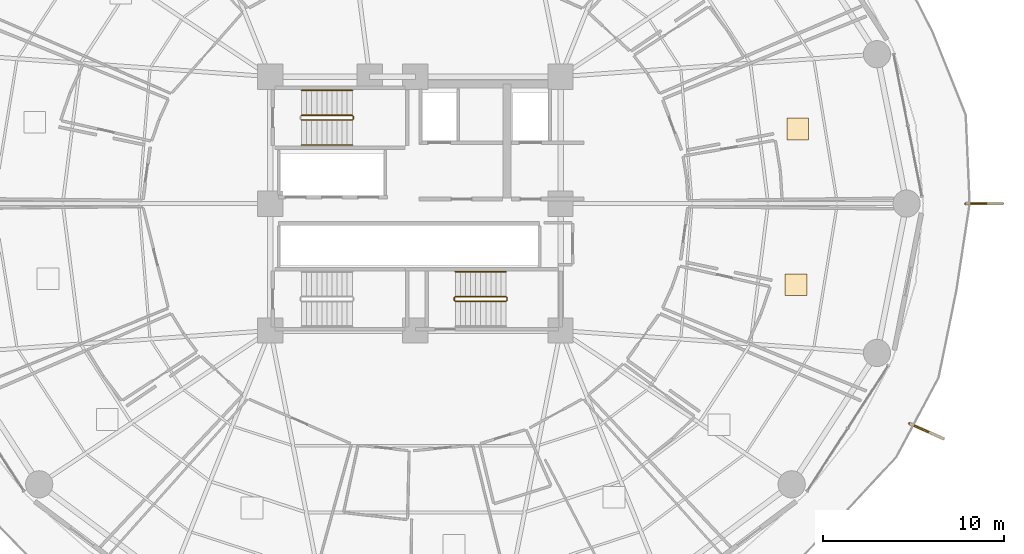
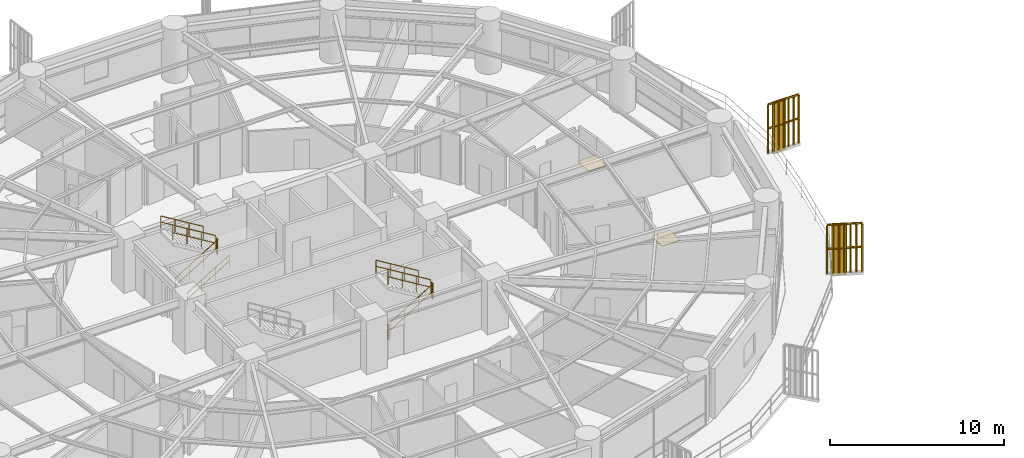
# One storey, part 34 of 35: 12 railings, 2 coverings, 2 shading devices.
"""IFC4 building model written with IfcOpenShell, lengths in metres."""

from ifc_helpers import new_model, si_unit, direction, frame, origin, origin_2d, place, context, subcontext, project, spatial, polyline, rectangle, outline, extrude, source, transform, mapped, material, layer, layer_set, type_object, element, save


model = new_model("IFC4")

# Units and contexts
model_context = context("Model", 3, precision=1e-05, world=origin(), true_north=direction((0.0, 1.0)))
body_context = subcontext(model_context, "Body", "Model", "MODEL_VIEW")
ifc_project = project(units=[si_unit("LENGTHUNIT", "METRE"), si_unit("AREAUNIT", "SQUARE_METRE"), si_unit("VOLUMEUNIT", "CUBIC_METRE"), si_unit("PLANEANGLEUNIT", "RADIAN"), si_unit("MASSUNIT", "GRAM", prefix="KILO")], contexts=[model_context])

# Site, building, storey
site_placement = place(None, origin())
site = spatial("IfcSite", under=ifc_project, at=site_placement, CompositionType="ELEMENT")
building_placement = place(site_placement, origin())
building = spatial("IfcBuilding", under=site, at=building_placement, Name="Kelanora Arch Commons", CompositionType="ELEMENT")
storey_placement = place(building_placement, frame((0.0, 0.0, 22.5)))
storey = spatial("IfcBuildingStorey", under=building, at=storey_placement, Name="L05", CompositionType="ELEMENT", Elevation=22.5)

# Railings
ifc_material_1 = material(Name="Anodised bronze vertical shading fin rib assembly")
railing_type_1 = type_object("IfcRailingType", Name="RAIL-FIN-BRZ", PredefinedType="BALUSTRADE", material=ifc_material_1)
railing_1_placement = place(storey_placement, frame((104.340087890625, 58.0, -0.02001953125)))
element("IfcRailing", 1, at=railing_1_placement, inside=storey, type_object=railing_type_1, Name="Sweeping Bronze Vertical Fin Blade L05-00", PredefinedType="BALUSTRADE", context=body_context, shape_type="SweptSolid", body=[
    extrude(outline(polyline([(0.06982421875, 0.0), (0.034912109375, 0.060546875), (-0.034912109375, 0.060546875), (-0.06982421875, 0.0), (-0.034912109375, -0.060546875), (0.034912109375, -0.060546875), (0.06982421875, 0.0)])), frame((0.0, 0.0, 3.419921875), z_axis=(1.0, 0.0, 0.0), x_axis=(0.0, 1.0, 0.0)), (0.0, 0.0, 1.0), 2.030029296875),
    extrude(outline(polyline([(0.06982421875, 0.0), (0.034912109375, 0.060546875), (-0.034912109375, 0.060546875), (-0.06982421875, 0.0), (-0.034912109375, -0.060546875), (0.034912109375, -0.060546875), (0.06982421875, 0.0)])), frame((0.0, 0.0, 1.7451171875), z_axis=(1.0, 0.0, 0.0), x_axis=(0.0, 1.0, 0.0)), (0.0, 0.0, 1.0), 2.030029296875),
    extrude(outline(polyline([(0.080078125, 0.0), (0.0400390625, 0.0693359375), (-0.0400390625, 0.0693359375), (-0.080078125, 0.0), (-0.0400390625, -0.0693359375), (0.0400390625, -0.0693359375), (0.080078125, 0.0)])), origin(), (0.0, 0.0, 1.0), 3.35009765625),
    extrude(outline(polyline([(0.080078125, 0.0), (0.0400390625, 0.0693359375), (-0.0400390625, 0.0693359375), (-0.080078125, 0.0), (-0.0400390625, -0.0693359375), (0.0400390625, -0.0693359375), (0.080078125, 0.0)])), frame((0.33837890625, 0.0, 0.0)), (0.0, 0.0, 1.0), 3.35009765625),
    extrude(outline(polyline([(0.080078125, 0.0), (0.0400390625, 0.0693359375), (-0.0400390625, 0.0693359375), (-0.080078125, 0.0), (-0.0400390625, -0.0693359375), (0.0400390625, -0.0693359375), (0.080078125, 0.0)])), frame((0.6767578125, 0.0, 0.0)), (0.0, 0.0, 1.0), 3.35009765625),
    extrude(outline(polyline([(0.080078125, 0.0), (0.0400390625, 0.0693359375), (-0.0400390625, 0.0693359375), (-0.080078125, 0.0), (-0.0400390625, -0.0693359375), (0.0400390625, -0.0693359375), (0.080078125, 0.0)])), frame((1.01513671875, 0.0, 0.0)), (0.0, 0.0, 1.0), 3.35009765625),
    extrude(outline(polyline([(0.080078125, 0.0), (0.0400390625, 0.0693359375), (-0.0400390625, 0.0693359375), (-0.080078125, 0.0), (-0.0400390625, -0.0693359375), (0.0400390625, -0.0693359375), (0.080078125, 0.0)])), frame((1.353271484375, 0.0, 0.0)), (0.0, 0.0, 1.0), 3.35009765625),
    extrude(outline(polyline([(0.080078125, 0.0), (0.0400390625, 0.0693359375), (-0.0400390625, 0.0693359375), (-0.080078125, 0.0), (-0.0400390625, -0.0693359375), (0.0400390625, -0.0693359375), (0.080078125, 0.0)])), frame((1.691650390625, 0.0, 0.0)), (0.0, 0.0, 1.0), 3.35009765625),
    extrude(outline(polyline([(0.080078125, 0.0), (0.0400390625, 0.0693359375), (-0.0400390625, 0.0693359375), (-0.080078125, 0.0), (-0.0400390625, -0.0693359375), (0.0400390625, -0.0693359375), (0.080078125, 0.0)])), frame((2.030029296875, 0.0, 0.0)), (0.0, 0.0, 1.0), 3.35009765625),
])
railing_2_placement = place(storey_placement, frame((101.244873046875, 45.869873046875, -0.02001953125)))
element("IfcRailing", 2, at=railing_2_placement, inside=storey, type_object=railing_type_1, Name="Sweeping Bronze Vertical Fin Blade L05-14", PredefinedType="BALUSTRADE", context=body_context, shape_type="SweptSolid", body=[
    extrude(outline(polyline([(0.06982421875, 0.0), (0.034912109375, 0.060546875), (-0.034912109375, 0.060546875), (-0.06982421875, 0.0), (-0.034912109375, -0.060546875), (0.034912109375, -0.060546875), (0.06982421875, 0.0)])), frame((0.0, 0.0, 3.419921875), z_axis=(0.913543540245, -0.406740949593, 0.0), x_axis=(0.406740949593, 0.913543540245, 0.0)), (0.0, 0.0, 1.0), 2.030029296875),
    extrude(outline(polyline([(0.06982421875, 0.0), (0.034912109375, 0.060546875), (-0.034912109375, 0.060546875), (-0.06982421875, 0.0), (-0.034912109375, -0.060546875), (0.034912109375, -0.060546875), (0.06982421875, 0.0)])), frame((0.0, 0.0, 1.7451171875), z_axis=(0.913543540245, -0.406740949593, 0.0), x_axis=(0.406740949593, 0.913543540245, 0.0)), (0.0, 0.0, 1.0), 2.030029296875),
    extrude(outline(polyline([(0.080078125, 0.0), (0.0400390625, 0.0693359375), (-0.0400390625, 0.0693359375), (-0.080078125, 0.0), (-0.0400390625, -0.0693359375), (0.0400390625, -0.0693359375), (0.080078125, 0.0)])), origin(), (0.0, 0.0, 1.0), 3.35009765625),
    extrude(outline(polyline([(0.080078125, 0.0), (0.0400390625, 0.0693359375), (-0.0400390625, 0.0693359375), (-0.080078125, 0.0), (-0.0400390625, -0.0693359375), (0.0400390625, -0.0693359375), (0.080078125, 0.0)])), frame((0.30908203125, -0.1376953125, 0.0)), (0.0, 0.0, 1.0), 3.35009765625),
    extrude(outline(polyline([(0.080078125, 0.0), (0.0400390625, 0.0693359375), (-0.0400390625, 0.0693359375), (-0.080078125, 0.0), (-0.0400390625, -0.0693359375), (0.0400390625, -0.0693359375), (0.080078125, 0.0)])), frame((0.6181640625, -0.275146484375, 0.0)), (0.0, 0.0, 1.0), 3.35009765625),
    extrude(outline(polyline([(0.080078125, 0.0), (0.0400390625, 0.0693359375), (-0.0400390625, 0.0693359375), (-0.080078125, 0.0), (-0.0400390625, -0.0693359375), (0.0400390625, -0.0693359375), (0.080078125, 0.0)])), frame((0.92724609375, -0.412841796875, 0.0)), (0.0, 0.0, 1.0), 3.35009765625),
    extrude(outline(polyline([(0.080078125, 0.0), (0.0400390625, 0.0693359375), (-0.0400390625, 0.0693359375), (-0.080078125, 0.0), (-0.0400390625, -0.0693359375), (0.0400390625, -0.0693359375), (0.080078125, 0.0)])), frame((1.236328125, -0.550537109375, 0.0)), (0.0, 0.0, 1.0), 3.35009765625),
    extrude(outline(polyline([(0.080078125, 0.0), (0.0400390625, 0.0693359375), (-0.0400390625, 0.0693359375), (-0.080078125, 0.0), (-0.0400390625, -0.0693359375), (0.0400390625, -0.0693359375), (0.080078125, 0.0)])), frame((1.54541015625, -0.68798828125, 0.0)), (0.0, 0.0, 1.0), 3.35009765625),
    extrude(outline(polyline([(0.080078125, 0.0), (0.0400390625, 0.0693359375), (-0.0400390625, 0.0693359375), (-0.080078125, 0.0), (-0.0400390625, -0.0693359375), (0.0400390625, -0.0693359375), (0.080078125, 0.0)])), frame((1.8544921875, -0.82568359375, 0.0)), (0.0, 0.0, 1.0), 3.35009765625),
])
ifc_material_2 = material(Name="Painted steel stair well guard", Category="steel")
railing_type_2 = type_object("IfcRailingType", Name="RAIL-STAIR-GRD", PredefinedType="GUARDRAIL", material=ifc_material_2)
railing_3_placement = place(storey_placement, frame((67.719970703125, 62.610107421875, 0.17041015625)))
element("IfcRailing", 3, at=railing_3_placement, inside=storey, type_object=railing_type_2, Name="L05 ST-T1 stair guard 1", PredefinedType="GUARDRAIL", context=body_context, shape_type="SweptSolid", body=[
    extrude(outline(polyline([(0.02392578125, 0.0), (0.011962890625, 0.020751953125), (-0.011962890625, 0.020751953125), (-0.02392578125, 0.0), (-0.011962890625, -0.020751953125), (0.011962890625, -0.020751953125), (0.02392578125, 0.0)])), frame((0.0, 0.0, 1.076171875), z_axis=(0.854169791009, 0.0, 0.51999420009), x_axis=(0.0, 1.0, 0.0)), (0.0, 0.0, 1.0), 3.278076171875),
    extrude(outline(polyline([(0.02392578125, 0.0), (0.011962890625, 0.020751953125), (-0.011962890625, 0.020751953125), (-0.02392578125, 0.0), (-0.011962890625, -0.020751953125), (0.011962890625, -0.020751953125), (0.02392578125, 0.0)])), frame((0.0, 0.0, 0.550048828125), z_axis=(0.854169791009, 0.0, 0.51999420009), x_axis=(0.0, 1.0, 0.0)), (0.0, 0.0, 1.0), 3.278076171875),
    extrude(outline(polyline([(0.02099609375, 0.0), (0.010498046875, 0.01806640625), (-0.010498046875, 0.01806640625), (-0.02099609375, 0.0), (-0.010498046875, -0.01806640625), (0.010498046875, -0.01806640625), (0.02099609375, 0.0)])), origin(), (0.0, 0.0, 1.0), 1.052001953125),
    extrude(outline(polyline([(0.02099609375, 0.0), (0.010498046875, 0.01806640625), (-0.010498046875, 0.01806640625), (-0.02099609375, 0.0), (-0.010498046875, -0.01806640625), (0.010498046875, -0.01806640625), (0.02099609375, 0.0)])), frame((0.933349609375, 0.0, 0.568115234375)), (0.0, 0.0, 1.0), 1.052001953125),
    extrude(outline(polyline([(0.02099609375, 0.0), (0.010498046875, 0.01806640625), (-0.010498046875, 0.01806640625), (-0.02099609375, 0.0), (-0.010498046875, -0.01806640625), (0.010498046875, -0.01806640625), (0.02099609375, 0.0)])), frame((1.86669921875, 0.0, 1.136474609375)), (0.0, 0.0, 1.0), 1.052001953125),
    extrude(outline(polyline([(0.02099609375, 0.0), (0.010498046875, 0.01806640625), (-0.010498046875, 0.01806640625), (-0.02099609375, 0.0), (-0.010498046875, -0.01806640625), (0.010498046875, -0.01806640625), (0.02099609375, 0.0)])), frame((2.800048828125, 0.0, 1.70458984375)), (0.0, 0.0, 1.0), 1.052001953125),
])
railing_4_placement = place(storey_placement, frame((70.570068359375, 62.659912109375, 1.875)))
element("IfcRailing", 4, at=railing_4_placement, inside=storey, type_object=railing_type_2, Name="L05 ST-T1 stair guard 2", PredefinedType="GUARDRAIL", context=body_context, shape_type="SweptSolid", body=[
    extrude(outline(polyline([(0.02392578125, 0.0), (0.011962890625, 0.020751953125), (-0.011962890625, 0.020751953125), (-0.02392578125, 0.0), (-0.011962890625, -0.020751953125), (0.011962890625, -0.020751953125), (0.02392578125, 0.0)])), frame((0.0, 0.0, 1.076171875), z_axis=(0.0, 1.0, 0.0), x_axis=(-1.0, 0.0, 0.0)), (0.0, 0.0, 1.0), 0.150146484375),
    extrude(outline(polyline([(0.02392578125, 0.0), (0.011962890625, 0.020751953125), (-0.011962890625, 0.020751953125), (-0.02392578125, 0.0), (-0.011962890625, -0.020751953125), (0.011962890625, -0.020751953125), (0.02392578125, 0.0)])), frame((0.0, 0.0, 0.550048828125), z_axis=(0.0, 1.0, 0.0), x_axis=(-1.0, 0.0, 0.0)), (0.0, 0.0, 1.0), 0.150146484375),
    extrude(outline(polyline([(0.02099609375, 0.0), (0.010498046875, 0.01806640625), (-0.010498046875, 0.01806640625), (-0.02099609375, 0.0), (-0.010498046875, -0.01806640625), (0.010498046875, -0.01806640625), (0.02099609375, 0.0)])), origin(), (0.0, 0.0, 1.0), 1.052001953125),
    extrude(outline(polyline([(0.02099609375, 0.0), (0.010498046875, 0.01806640625), (-0.010498046875, 0.01806640625), (-0.02099609375, 0.0), (-0.010498046875, -0.01806640625), (0.010498046875, -0.01806640625), (0.02099609375, 0.0)])), frame((0.0, 0.150146484375, 0.0)), (0.0, 0.0, 1.0), 1.052001953125),
])
railing_5_placement = place(storey_placement, frame((70.52001953125, 62.860107421875, 2.04541015625)))
element("IfcRailing", 5, at=railing_5_placement, inside=storey, type_object=railing_type_2, Name="L05 ST-T1 stair guard 3", PredefinedType="GUARDRAIL", context=body_context, shape_type="SweptSolid", body=[
    extrude(outline(polyline([(0.02392578125, 0.0), (0.011962890625, 0.020751953125), (-0.011962890625, 0.020751953125), (-0.02392578125, 0.0), (-0.011962890625, -0.020751953125), (0.011962890625, -0.020751953125), (0.02392578125, 0.0)])), frame((0.0, 0.0, 1.076171875), z_axis=(-0.854169791009, 0.0, 0.51999420009), x_axis=(0.0, -1.0, 0.0)), (0.0, 0.0, 1.0), 3.278076171875),
    extrude(outline(polyline([(0.02392578125, 0.0), (0.011962890625, 0.020751953125), (-0.011962890625, 0.020751953125), (-0.02392578125, 0.0), (-0.011962890625, -0.020751953125), (0.011962890625, -0.020751953125), (0.02392578125, 0.0)])), frame((0.0, 0.0, 0.550048828125), z_axis=(-0.854169791009, 0.0, 0.51999420009), x_axis=(0.0, -1.0, 0.0)), (0.0, 0.0, 1.0), 3.278076171875),
    extrude(outline(polyline([(0.02099609375, 0.0), (0.010498046875, 0.01806640625), (-0.010498046875, 0.01806640625), (-0.02099609375, 0.0), (-0.010498046875, -0.01806640625), (0.010498046875, -0.01806640625), (0.02099609375, 0.0)])), origin(), (0.0, 0.0, 1.0), 1.052001953125),
    extrude(outline(polyline([(0.02099609375, 0.0), (0.010498046875, 0.01806640625), (-0.010498046875, 0.01806640625), (-0.02099609375, 0.0), (-0.010498046875, -0.01806640625), (0.010498046875, -0.01806640625), (0.02099609375, 0.0)])), frame((-0.933349609375, 0.0, 0.568115234375)), (0.0, 0.0, 1.0), 1.052001953125),
    extrude(outline(polyline([(0.02099609375, 0.0), (0.010498046875, 0.01806640625), (-0.010498046875, 0.01806640625), (-0.02099609375, 0.0), (-0.010498046875, -0.01806640625), (0.010498046875, -0.01806640625), (0.02099609375, 0.0)])), frame((-1.86669921875, 0.0, 1.136474609375)), (0.0, 0.0, 1.0), 1.052001953125),
    extrude(outline(polyline([(0.02099609375, 0.0), (0.010498046875, 0.01806640625), (-0.010498046875, 0.01806640625), (-0.02099609375, 0.0), (-0.010498046875, -0.01806640625), (0.010498046875, -0.01806640625), (0.02099609375, 0.0)])), frame((-2.800048828125, 0.0, 1.70458984375)), (0.0, 0.0, 1.0), 1.052001953125),
])
railing_6_placement = place(storey_placement, frame((76.199951171875, 52.610107421875, 0.17041015625)))
element("IfcRailing", 6, at=railing_6_placement, inside=storey, type_object=railing_type_2, Name="L05 ST-T2 stair guard 1", PredefinedType="GUARDRAIL", context=body_context, shape_type="SweptSolid", body=[
    extrude(outline(polyline([(0.02392578125, 0.0), (0.011962890625, 0.020751953125), (-0.011962890625, 0.020751953125), (-0.02392578125, 0.0), (-0.011962890625, -0.020751953125), (0.011962890625, -0.020751953125), (0.02392578125, 0.0)])), frame((0.0, 0.0, 1.076171875), z_axis=(0.854169791009, 0.0, 0.51999420009), x_axis=(0.0, 1.0, 0.0)), (0.0, 0.0, 1.0), 3.278076171875),
    extrude(outline(polyline([(0.02392578125, 0.0), (0.011962890625, 0.020751953125), (-0.011962890625, 0.020751953125), (-0.02392578125, 0.0), (-0.011962890625, -0.020751953125), (0.011962890625, -0.020751953125), (0.02392578125, 0.0)])), frame((0.0, 0.0, 0.550048828125), z_axis=(0.854169791009, 0.0, 0.51999420009), x_axis=(0.0, 1.0, 0.0)), (0.0, 0.0, 1.0), 3.278076171875),
    extrude(outline(polyline([(0.02099609375, 0.0), (0.010498046875, 0.01806640625), (-0.010498046875, 0.01806640625), (-0.02099609375, 0.0), (-0.010498046875, -0.01806640625), (0.010498046875, -0.01806640625), (0.02099609375, 0.0)])), origin(), (0.0, 0.0, 1.0), 1.052001953125),
    extrude(outline(polyline([(0.02099609375, 0.0), (0.010498046875, 0.01806640625), (-0.010498046875, 0.01806640625), (-0.02099609375, 0.0), (-0.010498046875, -0.01806640625), (0.010498046875, -0.01806640625), (0.02099609375, 0.0)])), frame((0.933349609375, 0.0, 0.568115234375)), (0.0, 0.0, 1.0), 1.052001953125),
    extrude(outline(polyline([(0.02099609375, 0.0), (0.010498046875, 0.01806640625), (-0.010498046875, 0.01806640625), (-0.02099609375, 0.0), (-0.010498046875, -0.01806640625), (0.010498046875, -0.01806640625), (0.02099609375, 0.0)])), frame((1.86669921875, 0.0, 1.136474609375)), (0.0, 0.0, 1.0), 1.052001953125),
    extrude(outline(polyline([(0.02099609375, 0.0), (0.010498046875, 0.01806640625), (-0.010498046875, 0.01806640625), (-0.02099609375, 0.0), (-0.010498046875, -0.01806640625), (0.010498046875, -0.01806640625), (0.02099609375, 0.0)])), frame((2.800048828125, 0.0, 1.70458984375)), (0.0, 0.0, 1.0), 1.052001953125),
])
railing_7_placement = place(storey_placement, frame((79.050048828125, 52.659912109375, 1.875)))
element("IfcRailing", 7, at=railing_7_placement, inside=storey, type_object=railing_type_2, Name="L05 ST-T2 stair guard 2", PredefinedType="GUARDRAIL", context=body_context, shape_type="SweptSolid", body=[
    extrude(outline(polyline([(0.02392578125, 0.0), (0.011962890625, 0.020751953125), (-0.011962890625, 0.020751953125), (-0.02392578125, 0.0), (-0.011962890625, -0.020751953125), (0.011962890625, -0.020751953125), (0.02392578125, 0.0)])), frame((0.0, 0.0, 1.076171875), z_axis=(0.0, 1.0, 0.0), x_axis=(-1.0, 0.0, 0.0)), (0.0, 0.0, 1.0), 0.150146484375),
    extrude(outline(polyline([(0.02392578125, 0.0), (0.011962890625, 0.020751953125), (-0.011962890625, 0.020751953125), (-0.02392578125, 0.0), (-0.011962890625, -0.020751953125), (0.011962890625, -0.020751953125), (0.02392578125, 0.0)])), frame((0.0, 0.0, 0.550048828125), z_axis=(0.0, 1.0, 0.0), x_axis=(-1.0, 0.0, 0.0)), (0.0, 0.0, 1.0), 0.150146484375),
    extrude(outline(polyline([(0.02099609375, 0.0), (0.010498046875, 0.01806640625), (-0.010498046875, 0.01806640625), (-0.02099609375, 0.0), (-0.010498046875, -0.01806640625), (0.010498046875, -0.01806640625), (0.02099609375, 0.0)])), origin(), (0.0, 0.0, 1.0), 1.052001953125),
    extrude(outline(polyline([(0.02099609375, 0.0), (0.010498046875, 0.01806640625), (-0.010498046875, 0.01806640625), (-0.02099609375, 0.0), (-0.010498046875, -0.01806640625), (0.010498046875, -0.01806640625), (0.02099609375, 0.0)])), frame((0.0, 0.150146484375, 0.0)), (0.0, 0.0, 1.0), 1.052001953125),
])
railing_8_placement = place(storey_placement, frame((79.0, 52.860107421875, 2.04541015625)))
element("IfcRailing", 8, at=railing_8_placement, inside=storey, type_object=railing_type_2, Name="L05 ST-T2 stair guard 3", PredefinedType="GUARDRAIL", context=body_context, shape_type="SweptSolid", body=[
    extrude(outline(polyline([(0.02392578125, 0.0), (0.011962890625, 0.020751953125), (-0.011962890625, 0.020751953125), (-0.02392578125, 0.0), (-0.011962890625, -0.020751953125), (0.011962890625, -0.020751953125), (0.02392578125, 0.0)])), frame((0.0, 0.0, 1.076171875), z_axis=(-0.854169791009, 0.0, 0.51999420009), x_axis=(0.0, -1.0, 0.0)), (0.0, 0.0, 1.0), 3.278076171875),
    extrude(outline(polyline([(0.02392578125, 0.0), (0.011962890625, 0.020751953125), (-0.011962890625, 0.020751953125), (-0.02392578125, 0.0), (-0.011962890625, -0.020751953125), (0.011962890625, -0.020751953125), (0.02392578125, 0.0)])), frame((0.0, 0.0, 0.550048828125), z_axis=(-0.854169791009, 0.0, 0.51999420009), x_axis=(0.0, -1.0, 0.0)), (0.0, 0.0, 1.0), 3.278076171875),
    extrude(outline(polyline([(0.02099609375, 0.0), (0.010498046875, 0.01806640625), (-0.010498046875, 0.01806640625), (-0.02099609375, 0.0), (-0.010498046875, -0.01806640625), (0.010498046875, -0.01806640625), (0.02099609375, 0.0)])), origin(), (0.0, 0.0, 1.0), 1.052001953125),
    extrude(outline(polyline([(0.02099609375, 0.0), (0.010498046875, 0.01806640625), (-0.010498046875, 0.01806640625), (-0.02099609375, 0.0), (-0.010498046875, -0.01806640625), (0.010498046875, -0.01806640625), (0.02099609375, 0.0)])), frame((-0.933349609375, 0.0, 0.568115234375)), (0.0, 0.0, 1.0), 1.052001953125),
    extrude(outline(polyline([(0.02099609375, 0.0), (0.010498046875, 0.01806640625), (-0.010498046875, 0.01806640625), (-0.02099609375, 0.0), (-0.010498046875, -0.01806640625), (0.010498046875, -0.01806640625), (0.02099609375, 0.0)])), frame((-1.86669921875, 0.0, 1.136474609375)), (0.0, 0.0, 1.0), 1.052001953125),
    extrude(outline(polyline([(0.02099609375, 0.0), (0.010498046875, 0.01806640625), (-0.010498046875, 0.01806640625), (-0.02099609375, 0.0), (-0.010498046875, -0.01806640625), (0.010498046875, -0.01806640625), (0.02099609375, 0.0)])), frame((-2.800048828125, 0.0, 1.70458984375)), (0.0, 0.0, 1.0), 1.052001953125),
])
railing_9_placement = place(storey_placement, frame((76.14990234375, 52.659912109375, 0.0)))
element("IfcRailing", 9, at=railing_9_placement, inside=storey, type_object=railing_type_2, Name="L05 ST-T2 stair guard 4", PredefinedType="GUARDRAIL", context=body_context, shape_type="SweptSolid", body=[
    extrude(outline(polyline([(0.02392578125, 0.0), (0.011962890625, 0.020751953125), (-0.011962890625, 0.020751953125), (-0.02392578125, 0.0), (-0.011962890625, -0.020751953125), (0.011962890625, -0.020751953125), (0.02392578125, 0.0)])), frame((0.0, 0.0, 1.076171875), z_axis=(0.0, 1.0, 0.0), x_axis=(-1.0, 0.0, 0.0)), (0.0, 0.0, 1.0), 0.150146484375),
    extrude(outline(polyline([(0.02392578125, 0.0), (0.011962890625, 0.020751953125), (-0.011962890625, 0.020751953125), (-0.02392578125, 0.0), (-0.011962890625, -0.020751953125), (0.011962890625, -0.020751953125), (0.02392578125, 0.0)])), frame((0.0, 0.0, 0.550048828125), z_axis=(0.0, 1.0, 0.0), x_axis=(-1.0, 0.0, 0.0)), (0.0, 0.0, 1.0), 0.150146484375),
    extrude(outline(polyline([(0.02099609375, 0.0), (0.010498046875, 0.01806640625), (-0.010498046875, 0.01806640625), (-0.02099609375, 0.0), (-0.010498046875, -0.01806640625), (0.010498046875, -0.01806640625), (0.02099609375, 0.0)])), origin(), (0.0, 0.0, 1.0), 1.052001953125),
    extrude(outline(polyline([(0.02099609375, 0.0), (0.010498046875, 0.01806640625), (-0.010498046875, 0.01806640625), (-0.02099609375, 0.0), (-0.010498046875, -0.01806640625), (0.010498046875, -0.01806640625), (0.02099609375, 0.0)])), frame((0.0, 0.150146484375, 0.0)), (0.0, 0.0, 1.0), 1.052001953125),
])
ifc_material_3 = material(Name="Brushed stainless steel stair handrail", Category="steel")
railing_type_3 = type_object("IfcRailingType", Name="RAIL-STAIR-HND", PredefinedType="HANDRAIL", material=ifc_material_3)
railing_10_placement = place(storey_placement, frame((67.719970703125, 61.22998046875, 0.17041015625)))
element("IfcRailing", 10, at=railing_10_placement, inside=storey, type_object=railing_type_3, Name="L05 ST-T1 stair handrail 1", PredefinedType="HANDRAIL", context=body_context, shape_type="SweptSolid", body=[
    extrude(outline(polyline([(0.02392578125, 0.0), (0.011962890625, 0.020751953125), (-0.011962890625, 0.020751953125), (-0.02392578125, 0.0), (-0.011962890625, -0.020751953125), (0.011962890625, -0.020751953125), (0.02392578125, 0.0)])), frame((0.0, 0.0, 0.8759765625), z_axis=(0.854169791009, 0.0, 0.51999420009), x_axis=(0.0, 1.0, 0.0)), (0.0, 0.0, 1.0), 3.278076171875),
    extrude(outline(polyline([(0.02392578125, 0.0), (0.011962890625, 0.020751953125), (-0.011962890625, 0.020751953125), (-0.02392578125, 0.0), (-0.011962890625, -0.020751953125), (0.011962890625, -0.020751953125), (0.02392578125, 0.0)])), frame((0.0, 0.0, 0.449951171875), z_axis=(0.854169791009, 0.0, 0.51999420009), x_axis=(0.0, 1.0, 0.0)), (0.0, 0.0, 1.0), 3.278076171875),
    extrude(outline(polyline([(0.02099609375, 0.0), (0.010498046875, 0.01806640625), (-0.010498046875, 0.01806640625), (-0.02099609375, 0.0), (-0.010498046875, -0.01806640625), (0.010498046875, -0.01806640625), (0.02099609375, 0.0)])), origin(), (0.0, 0.0, 1.0), 0.851806640625),
    extrude(outline(polyline([(0.02099609375, 0.0), (0.010498046875, 0.01806640625), (-0.010498046875, 0.01806640625), (-0.02099609375, 0.0), (-0.010498046875, -0.01806640625), (0.010498046875, -0.01806640625), (0.02099609375, 0.0)])), frame((0.933349609375, 0.0, 0.568115234375)), (0.0, 0.0, 1.0), 0.851806640625),
    extrude(outline(polyline([(0.02099609375, 0.0), (0.010498046875, 0.01806640625), (-0.010498046875, 0.01806640625), (-0.02099609375, 0.0), (-0.010498046875, -0.01806640625), (0.010498046875, -0.01806640625), (0.02099609375, 0.0)])), frame((1.86669921875, 0.0, 1.136474609375)), (0.0, 0.0, 1.0), 0.851806640625),
    extrude(outline(polyline([(0.02099609375, 0.0), (0.010498046875, 0.01806640625), (-0.010498046875, 0.01806640625), (-0.02099609375, 0.0), (-0.010498046875, -0.01806640625), (0.010498046875, -0.01806640625), (0.02099609375, 0.0)])), frame((2.800048828125, 0.0, 1.70458984375)), (0.0, 0.0, 1.0), 0.851806640625),
])
railing_11_placement = place(storey_placement, frame((70.52001953125, 64.239990234375, 2.04541015625)))
element("IfcRailing", 11, at=railing_11_placement, inside=storey, type_object=railing_type_3, Name="L05 ST-T1 stair handrail 2", PredefinedType="HANDRAIL", context=body_context, shape_type="SweptSolid", body=[
    extrude(outline(polyline([(0.02392578125, 0.0), (0.011962890625, 0.020751953125), (-0.011962890625, 0.020751953125), (-0.02392578125, 0.0), (-0.011962890625, -0.020751953125), (0.011962890625, -0.020751953125), (0.02392578125, 0.0)])), frame((0.0, 0.0, 0.8759765625), z_axis=(-0.854169791009, 0.0, 0.51999420009), x_axis=(0.0, -1.0, 0.0)), (0.0, 0.0, 1.0), 3.278076171875),
    extrude(outline(polyline([(0.02392578125, 0.0), (0.011962890625, 0.020751953125), (-0.011962890625, 0.020751953125), (-0.02392578125, 0.0), (-0.011962890625, -0.020751953125), (0.011962890625, -0.020751953125), (0.02392578125, 0.0)])), frame((0.0, 0.0, 0.449951171875), z_axis=(-0.854169791009, 0.0, 0.51999420009), x_axis=(0.0, -1.0, 0.0)), (0.0, 0.0, 1.0), 3.278076171875),
    extrude(outline(polyline([(0.02099609375, 0.0), (0.010498046875, 0.01806640625), (-0.010498046875, 0.01806640625), (-0.02099609375, 0.0), (-0.010498046875, -0.01806640625), (0.010498046875, -0.01806640625), (0.02099609375, 0.0)])), origin(), (0.0, 0.0, 1.0), 0.851806640625),
    extrude(outline(polyline([(0.02099609375, 0.0), (0.010498046875, 0.01806640625), (-0.010498046875, 0.01806640625), (-0.02099609375, 0.0), (-0.010498046875, -0.01806640625), (0.010498046875, -0.01806640625), (0.02099609375, 0.0)])), frame((-0.933349609375, 0.0, 0.568115234375)), (0.0, 0.0, 1.0), 0.851806640625),
    extrude(outline(polyline([(0.02099609375, 0.0), (0.010498046875, 0.01806640625), (-0.010498046875, 0.01806640625), (-0.02099609375, 0.0), (-0.010498046875, -0.01806640625), (0.010498046875, -0.01806640625), (0.02099609375, 0.0)])), frame((-1.86669921875, 0.0, 1.136474609375)), (0.0, 0.0, 1.0), 0.851806640625),
    extrude(outline(polyline([(0.02099609375, 0.0), (0.010498046875, 0.01806640625), (-0.010498046875, 0.01806640625), (-0.02099609375, 0.0), (-0.010498046875, -0.01806640625), (0.010498046875, -0.01806640625), (0.02099609375, 0.0)])), frame((-2.800048828125, 0.0, 1.70458984375)), (0.0, 0.0, 1.0), 0.851806640625),
])
railing_12_placement = place(storey_placement, frame((79.0, 54.239990234375, 2.04541015625)))
element("IfcRailing", 12, at=railing_12_placement, inside=storey, type_object=railing_type_3, Name="L05 ST-T2 stair handrail 2", PredefinedType="HANDRAIL", context=body_context, shape_type="SweptSolid", body=[
    extrude(outline(polyline([(0.02392578125, 0.0), (0.011962890625, 0.020751953125), (-0.011962890625, 0.020751953125), (-0.02392578125, 0.0), (-0.011962890625, -0.020751953125), (0.011962890625, -0.020751953125), (0.02392578125, 0.0)])), frame((0.0, 0.0, 0.8759765625), z_axis=(-0.854169791009, 0.0, 0.51999420009), x_axis=(0.0, -1.0, 0.0)), (0.0, 0.0, 1.0), 3.278076171875),
    extrude(outline(polyline([(0.02392578125, 0.0), (0.011962890625, 0.020751953125), (-0.011962890625, 0.020751953125), (-0.02392578125, 0.0), (-0.011962890625, -0.020751953125), (0.011962890625, -0.020751953125), (0.02392578125, 0.0)])), frame((0.0, 0.0, 0.449951171875), z_axis=(-0.854169791009, 0.0, 0.51999420009), x_axis=(0.0, -1.0, 0.0)), (0.0, 0.0, 1.0), 3.278076171875),
    extrude(outline(polyline([(0.02099609375, 0.0), (0.010498046875, 0.01806640625), (-0.010498046875, 0.01806640625), (-0.02099609375, 0.0), (-0.010498046875, -0.01806640625), (0.010498046875, -0.01806640625), (0.02099609375, 0.0)])), origin(), (0.0, 0.0, 1.0), 0.851806640625),
    extrude(outline(polyline([(0.02099609375, 0.0), (0.010498046875, 0.01806640625), (-0.010498046875, 0.01806640625), (-0.02099609375, 0.0), (-0.010498046875, -0.01806640625), (0.010498046875, -0.01806640625), (0.02099609375, 0.0)])), frame((-0.933349609375, 0.0, 0.568115234375)), (0.0, 0.0, 1.0), 0.851806640625),
    extrude(outline(polyline([(0.02099609375, 0.0), (0.010498046875, 0.01806640625), (-0.010498046875, 0.01806640625), (-0.02099609375, 0.0), (-0.010498046875, -0.01806640625), (0.010498046875, -0.01806640625), (0.02099609375, 0.0)])), frame((-1.86669921875, 0.0, 1.136474609375)), (0.0, 0.0, 1.0), 0.851806640625),
    extrude(outline(polyline([(0.02099609375, 0.0), (0.010498046875, 0.01806640625), (-0.010498046875, 0.01806640625), (-0.02099609375, 0.0), (-0.010498046875, -0.01806640625), (0.010498046875, -0.01806640625), (0.02099609375, 0.0)])), frame((-2.800048828125, 0.0, 1.70458984375)), (0.0, 0.0, 1.0), 0.851806640625),
])

# Shading devices
ifc_material_4 = material(Name="Terracotta ceramic-clad extruded aluminium fin", Category="masonry")
shading_device_type = type_object("IfcShadingDeviceType", Name="SHD-FIN-FLARE", PredefinedType="USERDEFINED", material=ifc_material_4)
shared_shape_1 = source(origin(), body_context, "Body", "SweptSolid", [
    extrude(rectangle(XDim=0.8798828125, YDim=0.090087890625, at=origin_2d()), origin(), (0.0, 0.0, 1.0), 3.610107421875),
])
for number, where, z_axis, x_axis, name in (
    (13, (105.06005859375, 58.0, -0.14013671875), (0.0, 0.0, 1.0), (1.0, 0.0, 0.0), "Sweeping Terracotta Fin L05-00"),
    (14, (101.902587890625, 45.576904296875, -0.14013671875), (0.0, 0.0, 1.0), (0.913545457643, -0.406736643076, 0.0), "Sweeping Terracotta Fin L05-14"),
):
    element("IfcShadingDevice", number, at=place(storey_placement, frame(where, z_axis=z_axis, x_axis=x_axis)), inside=storey, type_object=shading_device_type, Name=name, ObjectType="FIN", PredefinedType="USERDEFINED", context=body_context, shape_type="MappedRepresentation", body=[
        mapped(shared_shape_1, transform((0.0, 0.0, 0.0), scale=1.0)),
    ])

# Coverings
ifc_material_5 = material(Name="Polished local granite terrazzo flooring", Category="masonry")
ifc_layer = layer(ifc_material_5, 0.030029296875)
ifc_layer_set = layer_set([ifc_layer], Name="Polished local granite terrazzo flooring")
covering_type = type_object("IfcCoveringType", Name="COV-FLR-TER", PredefinedType="FLOORING", material=ifc_layer_set)
shared_shape_2 = source(origin(), body_context, "Body", "SweptSolid", [
    extrude(rectangle(XDim=1.199951171875, YDim=1.199951171875, at=origin_2d()), origin(), (0.0, 0.0, 1.0), 0.030029296875),
])
for number, where, z_axis, x_axis, name in (
    (15, (95.076416015625, 62.118896484375, 0.0), (0.0, 0.0, 1.0), (1.0, 0.0, 0.0), "Co-Living Studio L05-01 Terrazzo Finish"),
    (16, (94.982666015625, 53.51953125, 0.0), (0.0, 0.0, 1.0), (1.0, 0.0, 0.0), "Co-Living Studio L05-14 Terrazzo Finish"),
):
    element("IfcCovering", number, at=place(storey_placement, frame(where, z_axis=z_axis, x_axis=x_axis)), inside=storey, type_object=covering_type, Name=name, PredefinedType="FLOORING", context=body_context, shape_type="MappedRepresentation", body=[
        mapped(shared_shape_2, transform((0.0, 0.0, 0.0), scale=1.0)),
    ])

save(model, "model.ifc")
